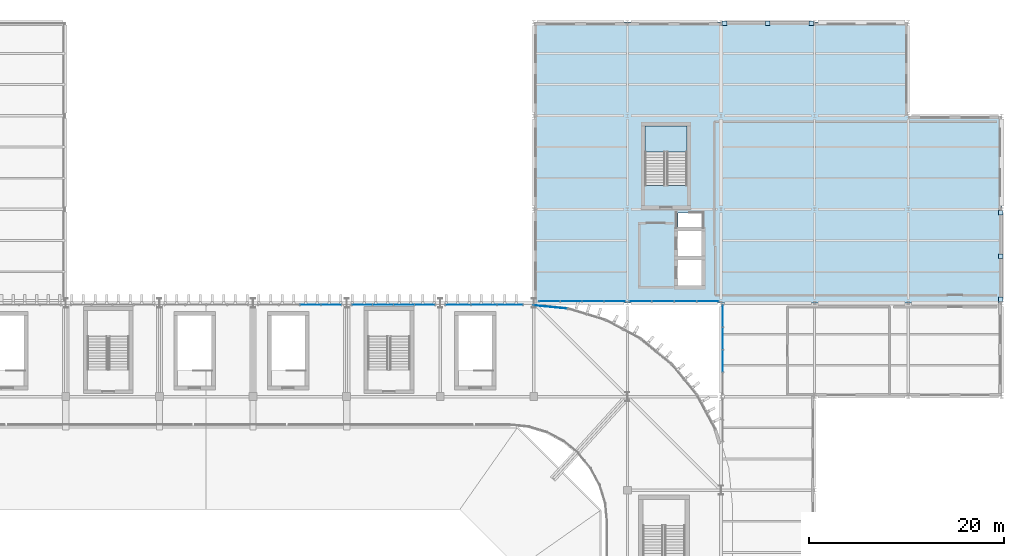
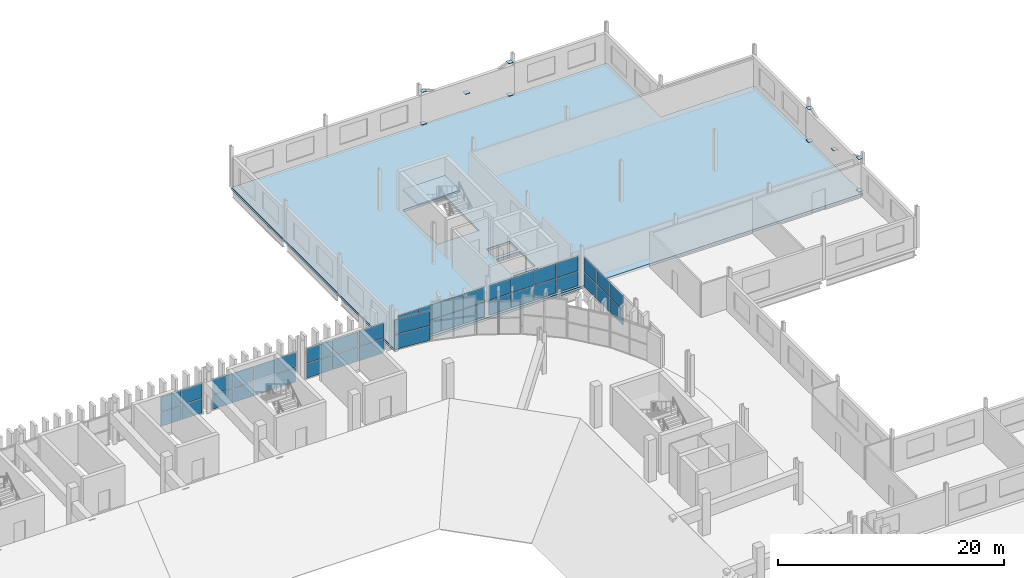
# One storey, part 40 of 69: 52 plates, 2 slabs, 8 elements without a shape of their own.
"""IFC4 building model written with IfcOpenShell, lengths in metres."""

from ifc_helpers import new_model, si_unit, direction, frame, origin, origin_2d, place, context, subcontext, project, spatial, polyline, rectangle, outline, extrude, material, layer, layer_set, type_object, element, aggregate, save


model = new_model("IFC4")

# Units and contexts
model_context = context("Model", 3, precision=1e-05, world=origin(), true_north=direction((0.0, 1.0)))
body_context = subcontext(model_context, "Body", "Model", "MODEL_VIEW")
ifc_project = project(units=[si_unit("LENGTHUNIT", "METRE"), si_unit("AREAUNIT", "SQUARE_METRE"), si_unit("VOLUMEUNIT", "CUBIC_METRE"), si_unit("PLANEANGLEUNIT", "RADIAN"), si_unit("MASSUNIT", "GRAM", prefix="KILO")], contexts=[model_context])

# Site, building, storey
site_placement = place(None, origin())
site = spatial("IfcSite", under=ifc_project, at=site_placement, CompositionType="ELEMENT")
building_placement = place(site_placement, origin())
building = spatial("IfcBuilding", under=site, at=building_placement, Name="Caelomonte Colonnade Arena", CompositionType="ELEMENT")
storey_placement = place(building_placement, frame((0.0, 0.0, 18.60009765625)))
storey = spatial("IfcBuildingStorey", under=building, at=storey_placement, Name="L04", CompositionType="ELEMENT", Elevation=18.60009765625)

# Curtain wall, plates
ifc_material_1 = material(Name="Bronze anodised aluminium and low-E glazing", Category="aluminium")
ifc_layer_1 = layer(ifc_material_1, 0.179931640625)
ifc_layer_set_1 = layer_set([ifc_layer_1], Name="Bronze anodised aluminium and low-E glazing")
curtain_wall_type_1 = type_object("IfcCurtainWallType", Name="ENV-CW-CW-L04-96-33", PredefinedType="USERDEFINED", material=ifc_layer_set_1)
curtain_wall_1_placement = place(storey_placement, origin())
curtain_wall_1 = element("IfcCurtainWall", 1, at=curtain_wall_1_placement, inside=storey, type_object=curtain_wall_type_1, Name="L04 unitized curtain wall CW-L04-1488-1154", ObjectType="UNITIZED CURTAIN WALL", PredefinedType="USERDEFINED")
ifc_material_2 = material(Name="Solar-control bronze low-E double glazing", Category="glass")
ifc_layer_2 = layer(ifc_material_2, 0.035888671875)
ifc_layer_set_2 = layer_set([ifc_layer_2], Name="Solar-control bronze low-E double glazing")
plate_type_1 = type_object("IfcPlateType", Name="ENV-CW-PAN36", PredefinedType="CURTAIN_PANEL", material=ifc_layer_set_2)
plate_1_placement = place(storey_placement, frame((145.618896484375, 115.3798828125, 0.06982421875), z_axis=(0.0, 0.0, 1.0), x_axis=(1.0, 0.0, 0.0)))
plate_1 = element("IfcPlate", 2, at=plate_1_placement, type_object=plate_type_1, Name="CW-L04-96-33 panel 1.1", PredefinedType="CURTAIN_PANEL", context=body_context, shape_type="SweptSolid", body=[
    extrude(rectangle(XDim=2.130615234375, YDim=0.035888671875, at=origin_2d()), origin(), (0.0, 0.0, 1.0), 1.551513671875),
])
plate_2_placement = place(storey_placement, frame((145.618896484375, 115.3798828125, 1.69140625), z_axis=(0.0, 0.0, 1.0), x_axis=(1.0, 0.0, 0.0)))
plate_2 = element("IfcPlate", 3, at=plate_2_placement, type_object=plate_type_1, Name="CW-L04-96-33 panel 1.2", PredefinedType="CURTAIN_PANEL", context=body_context, shape_type="SweptSolid", body=[
    extrude(rectangle(XDim=2.130615234375, YDim=0.035888671875, at=origin_2d()), origin(), (0.0, 0.0, 1.0), 1.551513671875),
])
plate_3_placement = place(storey_placement, frame((147.837158203125, 115.3798828125, 0.06982421875), z_axis=(0.0, 0.0, 1.0), x_axis=(1.0, 0.0, 0.0)))
plate_3 = element("IfcPlate", 4, at=plate_3_placement, type_object=plate_type_1, Name="CW-L04-96-33 panel 2.1", PredefinedType="CURTAIN_PANEL", context=body_context, shape_type="SweptSolid", body=[
    extrude(rectangle(XDim=2.16552734375, YDim=0.035888671875, at=origin_2d()), origin(), (0.0, 0.0, 1.0), 1.551513671875),
])
plate_4_placement = place(storey_placement, frame((147.837158203125, 115.3798828125, 1.69140625), z_axis=(0.0, 0.0, 1.0), x_axis=(1.0, 0.0, 0.0)))
plate_4 = element("IfcPlate", 5, at=plate_4_placement, type_object=plate_type_1, Name="CW-L04-96-33 panel 2.2", PredefinedType="CURTAIN_PANEL", context=body_context, shape_type="SweptSolid", body=[
    extrude(rectangle(XDim=2.16552734375, YDim=0.035888671875, at=origin_2d()), origin(), (0.0, 0.0, 1.0), 1.551513671875),
])
plate_5_placement = place(storey_placement, frame((150.07275390625, 115.3798828125, 0.06982421875), z_axis=(0.0, 0.0, 1.0), x_axis=(1.0, 0.0, 0.0)))
plate_5 = element("IfcPlate", 6, at=plate_5_placement, type_object=plate_type_1, Name="CW-L04-96-33 panel 3.1", PredefinedType="CURTAIN_PANEL", context=body_context, shape_type="SweptSolid", body=[
    extrude(rectangle(XDim=2.16552734375, YDim=0.035888671875, at=origin_2d()), origin(), (0.0, 0.0, 1.0), 1.551513671875),
])
plate_6_placement = place(storey_placement, frame((150.07275390625, 115.3798828125, 1.69140625), z_axis=(0.0, 0.0, 1.0), x_axis=(1.0, 0.0, 0.0)))
plate_6 = element("IfcPlate", 7, at=plate_6_placement, type_object=plate_type_1, Name="CW-L04-96-33 panel 3.2", PredefinedType="CURTAIN_PANEL", context=body_context, shape_type="SweptSolid", body=[
    extrude(rectangle(XDim=2.16552734375, YDim=0.035888671875, at=origin_2d()), origin(), (0.0, 0.0, 1.0), 1.551513671875),
])
plate_7_placement = place(storey_placement, frame((152.290771484375, 115.3798828125, 0.06982421875), z_axis=(0.0, 0.0, 1.0), x_axis=(1.0, 0.0, 0.0)))
plate_7 = element("IfcPlate", 8, at=plate_7_placement, type_object=plate_type_1, Name="CW-L04-96-33 panel 4.1", PredefinedType="CURTAIN_PANEL", context=body_context, shape_type="SweptSolid", body=[
    extrude(rectangle(XDim=2.130615234375, YDim=0.035888671875, at=origin_2d()), origin(), (0.0, 0.0, 1.0), 1.551513671875),
])
plate_8_placement = place(storey_placement, frame((152.290771484375, 115.3798828125, 1.69140625), z_axis=(0.0, 0.0, 1.0), x_axis=(1.0, 0.0, 0.0)))
plate_8 = element("IfcPlate", 9, at=plate_8_placement, type_object=plate_type_1, Name="CW-L04-96-33 panel 4.2", PredefinedType="CURTAIN_PANEL", context=body_context, shape_type="SweptSolid", body=[
    extrude(rectangle(XDim=2.130615234375, YDim=0.035888671875, at=origin_2d()), origin(), (0.0, 0.0, 1.0), 1.551513671875),
])
aggregate(curtain_wall_1, [plate_1, plate_2, plate_3, plate_4, plate_5, plate_6, plate_7, plate_8])

curtain_wall_2_placement = place(storey_placement, origin())
curtain_wall_2 = element("IfcCurtainWall", 10, at=curtain_wall_2_placement, inside=storey, type_object=curtain_wall_type_1, Name="L04 unitized curtain wall CW-L04-1584-1154", ObjectType="UNITIZED CURTAIN WALL", PredefinedType="USERDEFINED")
plate_9_placement = place(storey_placement, frame((154.947998046875, 115.3798828125, 0.06982421875), z_axis=(0.0, 0.0, 1.0), x_axis=(1.0, 0.0, 0.0)))
plate_9 = element("IfcPlate", 11, at=plate_9_placement, type_object=plate_type_1, Name="CW-L04-96-33 panel 1.1", PredefinedType="CURTAIN_PANEL", context=body_context, shape_type="SweptSolid", body=[
    extrude(rectangle(XDim=2.2080078125, YDim=0.035888671875, at=origin_2d()), origin(), (0.0, 0.0, 1.0), 1.551513671875),
])
plate_10_placement = place(storey_placement, frame((154.947998046875, 115.3798828125, 1.69140625), z_axis=(0.0, 0.0, 1.0), x_axis=(1.0, 0.0, 0.0)))
plate_10 = element("IfcPlate", 12, at=plate_10_placement, type_object=plate_type_1, Name="CW-L04-96-33 panel 1.2", PredefinedType="CURTAIN_PANEL", context=body_context, shape_type="SweptSolid", body=[
    extrude(rectangle(XDim=2.2080078125, YDim=0.035888671875, at=origin_2d()), origin(), (0.0, 0.0, 1.0), 1.551513671875),
])
plate_11_placement = place(storey_placement, frame((157.243408203125, 115.3798828125, 0.06982421875), z_axis=(0.0, 0.0, 1.0), x_axis=(1.0, 0.0, 0.0)))
plate_11 = element("IfcPlate", 13, at=plate_11_placement, type_object=plate_type_1, Name="CW-L04-96-33 panel 2.1", PredefinedType="CURTAIN_PANEL", context=body_context, shape_type="SweptSolid", body=[
    extrude(rectangle(XDim=2.2431640625, YDim=0.035888671875, at=origin_2d()), origin(), (0.0, 0.0, 1.0), 1.551513671875),
])
plate_12_placement = place(storey_placement, frame((157.243408203125, 115.3798828125, 1.69140625), z_axis=(0.0, 0.0, 1.0), x_axis=(1.0, 0.0, 0.0)))
plate_12 = element("IfcPlate", 14, at=plate_12_placement, type_object=plate_type_1, Name="CW-L04-96-33 panel 2.2", PredefinedType="CURTAIN_PANEL", context=body_context, shape_type="SweptSolid", body=[
    extrude(rectangle(XDim=2.2431640625, YDim=0.035888671875, at=origin_2d()), origin(), (0.0, 0.0, 1.0), 1.551513671875),
])
plate_13_placement = place(storey_placement, frame((159.556640625, 115.3798828125, 0.06982421875), z_axis=(0.0, 0.0, 1.0), x_axis=(1.0, 0.0, 0.0)))
plate_13 = element("IfcPlate", 15, at=plate_13_placement, type_object=plate_type_1, Name="CW-L04-96-33 panel 3.1", PredefinedType="CURTAIN_PANEL", context=body_context, shape_type="SweptSolid", body=[
    extrude(rectangle(XDim=2.2431640625, YDim=0.035888671875, at=origin_2d()), origin(), (0.0, 0.0, 1.0), 1.551513671875),
])
plate_14_placement = place(storey_placement, frame((159.556640625, 115.3798828125, 1.69140625), z_axis=(0.0, 0.0, 1.0), x_axis=(1.0, 0.0, 0.0)))
plate_14 = element("IfcPlate", 16, at=plate_14_placement, type_object=plate_type_1, Name="CW-L04-96-33 panel 3.2", PredefinedType="CURTAIN_PANEL", context=body_context, shape_type="SweptSolid", body=[
    extrude(rectangle(XDim=2.2431640625, YDim=0.035888671875, at=origin_2d()), origin(), (0.0, 0.0, 1.0), 1.551513671875),
])
plate_15_placement = place(storey_placement, frame((161.85205078125, 115.3798828125, 0.06982421875), z_axis=(0.0, 0.0, 1.0), x_axis=(1.0, 0.0, 0.0)))
plate_15 = element("IfcPlate", 17, at=plate_15_placement, type_object=plate_type_1, Name="CW-L04-96-33 panel 4.1", PredefinedType="CURTAIN_PANEL", context=body_context, shape_type="SweptSolid", body=[
    extrude(rectangle(XDim=2.2080078125, YDim=0.035888671875, at=origin_2d()), origin(), (0.0, 0.0, 1.0), 1.551513671875),
])
plate_16_placement = place(storey_placement, frame((161.85205078125, 115.3798828125, 1.69140625), z_axis=(0.0, 0.0, 1.0), x_axis=(1.0, 0.0, 0.0)))
plate_16 = element("IfcPlate", 18, at=plate_16_placement, type_object=plate_type_1, Name="CW-L04-96-33 panel 4.2", PredefinedType="CURTAIN_PANEL", context=body_context, shape_type="SweptSolid", body=[
    extrude(rectangle(XDim=2.2080078125, YDim=0.035888671875, at=origin_2d()), origin(), (0.0, 0.0, 1.0), 1.551513671875),
])
aggregate(curtain_wall_2, [plate_9, plate_10, plate_11, plate_12, plate_13, plate_14, plate_15, plate_16])

curtain_wall_3_placement = place(storey_placement, origin())
curtain_wall_3 = element("IfcCurtainWall", 19, at=curtain_wall_3_placement, inside=storey, type_object=curtain_wall_type_1, Name="L04 unitized curtain wall CW-L04-1634-1104", ObjectType="UNITIZED CURTAIN WALL", PredefinedType="USERDEFINED")
plate_17_placement = place(storey_placement, frame((163.3798828125, 113.85205078125, 0.06982421875), z_axis=(0.0, 0.0, 1.0), x_axis=(0.0, -1.0, 0.0)))
plate_17 = element("IfcPlate", 20, at=plate_17_placement, type_object=plate_type_1, Name="CW-L04-96-33 panel 1.1", PredefinedType="CURTAIN_PANEL", context=body_context, shape_type="SweptSolid", body=[
    extrude(rectangle(XDim=2.2080078125, YDim=0.035888671875, at=origin_2d()), origin(), (0.0, 0.0, 1.0), 1.551513671875),
])
plate_18_placement = place(storey_placement, frame((163.3798828125, 113.85205078125, 1.69140625), z_axis=(0.0, 0.0, 1.0), x_axis=(0.0, -1.0, 0.0)))
plate_18 = element("IfcPlate", 21, at=plate_18_placement, type_object=plate_type_1, Name="CW-L04-96-33 panel 1.2", PredefinedType="CURTAIN_PANEL", context=body_context, shape_type="SweptSolid", body=[
    extrude(rectangle(XDim=2.2080078125, YDim=0.035888671875, at=origin_2d()), origin(), (0.0, 0.0, 1.0), 1.551513671875),
])
plate_19_placement = place(storey_placement, frame((163.3798828125, 111.556640625, 0.06982421875), z_axis=(0.0, 0.0, 1.0), x_axis=(0.0, -1.0, 0.0)))
plate_19 = element("IfcPlate", 22, at=plate_19_placement, type_object=plate_type_1, Name="CW-L04-96-33 panel 2.1", PredefinedType="CURTAIN_PANEL", context=body_context, shape_type="SweptSolid", body=[
    extrude(rectangle(XDim=2.2431640625, YDim=0.035888671875, at=origin_2d()), origin(), (0.0, 0.0, 1.0), 1.551513671875),
])
plate_20_placement = place(storey_placement, frame((163.3798828125, 111.556640625, 1.69140625), z_axis=(0.0, 0.0, 1.0), x_axis=(0.0, -1.0, 0.0)))
plate_20 = element("IfcPlate", 23, at=plate_20_placement, type_object=plate_type_1, Name="CW-L04-96-33 panel 2.2", PredefinedType="CURTAIN_PANEL", context=body_context, shape_type="SweptSolid", body=[
    extrude(rectangle(XDim=2.2431640625, YDim=0.035888671875, at=origin_2d()), origin(), (0.0, 0.0, 1.0), 1.551513671875),
])
plate_21_placement = place(storey_placement, frame((163.3798828125, 109.243408203125, 0.06982421875), z_axis=(0.0, 0.0, 1.0), x_axis=(0.0, -1.0, 0.0)))
plate_21 = element("IfcPlate", 24, at=plate_21_placement, type_object=plate_type_1, Name="CW-L04-96-33 panel 3.1", PredefinedType="CURTAIN_PANEL", context=body_context, shape_type="SweptSolid", body=[
    extrude(rectangle(XDim=2.2431640625, YDim=0.035888671875, at=origin_2d()), origin(), (0.0, 0.0, 1.0), 1.551513671875),
])
plate_22_placement = place(storey_placement, frame((163.3798828125, 109.243408203125, 1.69140625), z_axis=(0.0, 0.0, 1.0), x_axis=(0.0, -1.0, 0.0)))
plate_22 = element("IfcPlate", 25, at=plate_22_placement, type_object=plate_type_1, Name="CW-L04-96-33 panel 3.2", PredefinedType="CURTAIN_PANEL", context=body_context, shape_type="SweptSolid", body=[
    extrude(rectangle(XDim=2.2431640625, YDim=0.035888671875, at=origin_2d()), origin(), (0.0, 0.0, 1.0), 1.551513671875),
])
aggregate(curtain_wall_3, [plate_17, plate_18, plate_19, plate_20, plate_21, plate_22])

ifc_layer_3 = layer(ifc_material_1, 0.179931640625)
ifc_layer_set_3 = layer_set([ifc_layer_3], Name="Bronze anodised aluminium and low-E glazing")
curtain_wall_type_2 = type_object("IfcCurtainWallType", Name="ENV-CW-CW-L04-42-33", PredefinedType="USERDEFINED", material=ifc_layer_set_3)
curtain_wall_4_placement = place(storey_placement, origin())
curtain_wall_4 = element("IfcCurtainWall", 26, at=curtain_wall_4_placement, inside=storey, type_object=curtain_wall_type_2, Name="L04 unitized curtain wall CW-L04-1455-1148", ObjectType="UNITIZED CURTAIN WALL", PredefinedType="USERDEFINED")
plate_23_placement = place(storey_placement, frame((145.651611328125, 114.79736328125, 0.06982421875), z_axis=(0.0, 0.0, 1.0), x_axis=(-0.995184334909, 0.098021117887, 0.0)))
plate_23 = element("IfcPlate", 27, at=plate_23_placement, type_object=plate_type_1, Name="CW-L04-42-33 panel 1.1", PredefinedType="CURTAIN_PANEL", context=body_context, shape_type="SweptSolid", body=[
    extrude(rectangle(XDim=3.453125, YDim=0.035888671875, at=origin_2d()), origin(), (0.0, 0.0, 1.0), 1.551513671875),
])
plate_24_placement = place(storey_placement, frame((145.651611328125, 114.79736328125, 1.69140625), z_axis=(0.0, 0.0, 1.0), x_axis=(-0.995184334909, 0.098021117887, 0.0)))
plate_24 = element("IfcPlate", 28, at=plate_24_placement, type_object=plate_type_1, Name="CW-L04-42-33 panel 1.2", PredefinedType="CURTAIN_PANEL", context=body_context, shape_type="SweptSolid", body=[
    extrude(rectangle(XDim=3.453125, YDim=0.035888671875, at=origin_2d()), origin(), (0.0, 0.0, 1.0), 1.551513671875),
])
aggregate(curtain_wall_4, [plate_23, plate_24])

ifc_layer_4 = layer(ifc_material_1, 0.179931640625)
ifc_layer_set_4 = layer_set([ifc_layer_4], Name="Bronze anodised aluminium and low-E glazing")
curtain_wall_type_3 = type_object("IfcCurtainWallType", Name="ENV-CW-CW-L04-90-33", PredefinedType="USERDEFINED", material=ifc_layer_set_4)
curtain_wall_5_placement = place(storey_placement, origin())
curtain_wall_5 = element("IfcCurtainWall", 29, at=curtain_wall_5_placement, inside=storey, type_object=curtain_wall_type_3, Name="L04 unitized curtain wall CW-L04-1389-1150", ObjectType="UNITIZED CURTAIN WALL", PredefinedType="USERDEFINED")
plate_25_placement = place(storey_placement, frame((141.56005859375, 115.02001953125, 0.06982421875), z_axis=(0.0, 0.0, 1.0), x_axis=(-1.0, 0.0, 0.0)))
plate_25 = element("IfcPlate", 30, at=plate_25_placement, type_object=plate_type_1, Name="CW-L04-90-33 panel 1.1", PredefinedType="CURTAIN_PANEL", context=body_context, shape_type="SweptSolid", body=[
    extrude(rectangle(XDim=2.572509765625, YDim=0.035888671875, at=origin_2d()), origin(), (0.0, 0.0, 1.0), 1.551513671875),
])
plate_26_placement = place(storey_placement, frame((141.56005859375, 115.02001953125, 1.69140625), z_axis=(0.0, 0.0, 1.0), x_axis=(-1.0, 0.0, 0.0)))
plate_26 = element("IfcPlate", 31, at=plate_26_placement, type_object=plate_type_1, Name="CW-L04-90-33 panel 1.2", PredefinedType="CURTAIN_PANEL", context=body_context, shape_type="SweptSolid", body=[
    extrude(rectangle(XDim=2.572509765625, YDim=0.035888671875, at=origin_2d()), origin(), (0.0, 0.0, 1.0), 1.551513671875),
])
plate_27_placement = place(storey_placement, frame((138.89990234375, 115.02001953125, 0.06982421875), z_axis=(0.0, 0.0, 1.0), x_axis=(-1.0, 0.0, 0.0)))
plate_27 = element("IfcPlate", 32, at=plate_27_placement, type_object=plate_type_1, Name="CW-L04-90-33 panel 2.1", PredefinedType="CURTAIN_PANEL", context=body_context, shape_type="SweptSolid", body=[
    extrude(rectangle(XDim=2.607666015625, YDim=0.035888671875, at=origin_2d()), origin(), (0.0, 0.0, 1.0), 1.551513671875),
])
plate_28_placement = place(storey_placement, frame((138.89990234375, 115.02001953125, 1.69140625), z_axis=(0.0, 0.0, 1.0), x_axis=(-1.0, 0.0, 0.0)))
plate_28 = element("IfcPlate", 33, at=plate_28_placement, type_object=plate_type_1, Name="CW-L04-90-33 panel 2.2", PredefinedType="CURTAIN_PANEL", context=body_context, shape_type="SweptSolid", body=[
    extrude(rectangle(XDim=2.607666015625, YDim=0.035888671875, at=origin_2d()), origin(), (0.0, 0.0, 1.0), 1.551513671875),
])
plate_29_placement = place(storey_placement, frame((136.239990234375, 115.02001953125, 0.06982421875), z_axis=(0.0, 0.0, 1.0), x_axis=(-1.0, 0.0, 0.0)))
plate_29 = element("IfcPlate", 34, at=plate_29_placement, type_object=plate_type_1, Name="CW-L04-90-33 panel 3.1", PredefinedType="CURTAIN_PANEL", context=body_context, shape_type="SweptSolid", body=[
    extrude(rectangle(XDim=2.572509765625, YDim=0.035888671875, at=origin_2d()), origin(), (0.0, 0.0, 1.0), 1.551513671875),
])
plate_30_placement = place(storey_placement, frame((136.239990234375, 115.02001953125, 1.69140625), z_axis=(0.0, 0.0, 1.0), x_axis=(-1.0, 0.0, 0.0)))
plate_30 = element("IfcPlate", 35, at=plate_30_placement, type_object=plate_type_1, Name="CW-L04-90-33 panel 3.2", PredefinedType="CURTAIN_PANEL", context=body_context, shape_type="SweptSolid", body=[
    extrude(rectangle(XDim=2.572509765625, YDim=0.035888671875, at=origin_2d()), origin(), (0.0, 0.0, 1.0), 1.551513671875),
])
aggregate(curtain_wall_5, [plate_25, plate_26, plate_27, plate_28, plate_29, plate_30])

curtain_wall_6_placement = place(storey_placement, origin())
curtain_wall_6 = element("IfcCurtainWall", 36, at=curtain_wall_6_placement, inside=storey, type_object=curtain_wall_type_1, Name="L04 unitized curtain wall CW-L04-1296-1150", ObjectType="UNITIZED CURTAIN WALL", PredefinedType="USERDEFINED")
plate_31_placement = place(storey_placement, frame((132.81982421875, 115.02001953125, 0.06982421875), z_axis=(0.0, 0.0, 1.0), x_axis=(-1.0, 0.0, 0.0)))
plate_31 = element("IfcPlate", 37, at=plate_31_placement, type_object=plate_type_1, Name="CW-L04-96-33 panel 1.1", PredefinedType="CURTAIN_PANEL", context=body_context, shape_type="SweptSolid", body=[
    extrude(rectangle(XDim=2.05322265625, YDim=0.035888671875, at=origin_2d()), origin(), (0.0, 0.0, 1.0), 1.551513671875),
])
plate_32_placement = place(storey_placement, frame((132.81982421875, 115.02001953125, 1.69140625), z_axis=(0.0, 0.0, 1.0), x_axis=(-1.0, 0.0, 0.0)))
plate_32 = element("IfcPlate", 38, at=plate_32_placement, type_object=plate_type_1, Name="CW-L04-96-33 panel 1.2", PredefinedType="CURTAIN_PANEL", context=body_context, shape_type="SweptSolid", body=[
    extrude(rectangle(XDim=2.05322265625, YDim=0.035888671875, at=origin_2d()), origin(), (0.0, 0.0, 1.0), 1.551513671875),
])
plate_33_placement = place(storey_placement, frame((130.678955078125, 115.02001953125, 0.06982421875), z_axis=(0.0, 0.0, 1.0), x_axis=(-1.0, 0.0, 0.0)))
plate_33 = element("IfcPlate", 39, at=plate_33_placement, type_object=plate_type_1, Name="CW-L04-96-33 panel 2.1", PredefinedType="CURTAIN_PANEL", context=body_context, shape_type="SweptSolid", body=[
    extrude(rectangle(XDim=2.088134765625, YDim=0.035888671875, at=origin_2d()), origin(), (0.0, 0.0, 1.0), 1.551513671875),
])
plate_34_placement = place(storey_placement, frame((130.678955078125, 115.02001953125, 1.69140625), z_axis=(0.0, 0.0, 1.0), x_axis=(-1.0, 0.0, 0.0)))
plate_34 = element("IfcPlate", 40, at=plate_34_placement, type_object=plate_type_1, Name="CW-L04-96-33 panel 2.2", PredefinedType="CURTAIN_PANEL", context=body_context, shape_type="SweptSolid", body=[
    extrude(rectangle(XDim=2.088134765625, YDim=0.035888671875, at=origin_2d()), origin(), (0.0, 0.0, 1.0), 1.551513671875),
])
plate_35_placement = place(storey_placement, frame((128.520751953125, 115.02001953125, 0.06982421875), z_axis=(0.0, 0.0, 1.0), x_axis=(-1.0, 0.0, 0.0)))
plate_35 = element("IfcPlate", 41, at=plate_35_placement, type_object=plate_type_1, Name="CW-L04-96-33 panel 3.1", PredefinedType="CURTAIN_PANEL", context=body_context, shape_type="SweptSolid", body=[
    extrude(rectangle(XDim=2.088134765625, YDim=0.035888671875, at=origin_2d()), origin(), (0.0, 0.0, 1.0), 1.551513671875),
])
plate_36_placement = place(storey_placement, frame((128.520751953125, 115.02001953125, 1.69140625), z_axis=(0.0, 0.0, 1.0), x_axis=(-1.0, 0.0, 0.0)))
plate_36 = element("IfcPlate", 42, at=plate_36_placement, type_object=plate_type_1, Name="CW-L04-96-33 panel 3.2", PredefinedType="CURTAIN_PANEL", context=body_context, shape_type="SweptSolid", body=[
    extrude(rectangle(XDim=2.088134765625, YDim=0.035888671875, at=origin_2d()), origin(), (0.0, 0.0, 1.0), 1.551513671875),
])
plate_37_placement = place(storey_placement, frame((126.380126953125, 115.02001953125, 0.06982421875), z_axis=(0.0, 0.0, 1.0), x_axis=(-1.0, 0.0, 0.0)))
plate_37 = element("IfcPlate", 43, at=plate_37_placement, type_object=plate_type_1, Name="CW-L04-96-33 panel 4.1", PredefinedType="CURTAIN_PANEL", context=body_context, shape_type="SweptSolid", body=[
    extrude(rectangle(XDim=2.05322265625, YDim=0.035888671875, at=origin_2d()), origin(), (0.0, 0.0, 1.0), 1.551513671875),
])
plate_38_placement = place(storey_placement, frame((126.380126953125, 115.02001953125, 1.69140625), z_axis=(0.0, 0.0, 1.0), x_axis=(-1.0, 0.0, 0.0)))
plate_38 = element("IfcPlate", 44, at=plate_38_placement, type_object=plate_type_1, Name="CW-L04-96-33 panel 4.2", PredefinedType="CURTAIN_PANEL", context=body_context, shape_type="SweptSolid", body=[
    extrude(rectangle(XDim=2.05322265625, YDim=0.035888671875, at=origin_2d()), origin(), (0.0, 0.0, 1.0), 1.551513671875),
])
aggregate(curtain_wall_6, [plate_31, plate_32, plate_33, plate_34, plate_35, plate_36, plate_37, plate_38])

curtain_wall_7_placement = place(storey_placement, origin())
curtain_wall_7 = element("IfcCurtainWall", 45, at=curtain_wall_7_placement, inside=storey, type_object=curtain_wall_type_1, Name="L04 unitized curtain wall CW-L04-1200-1150", ObjectType="UNITIZED CURTAIN WALL", PredefinedType="USERDEFINED")
plate_39_placement = place(storey_placement, frame((123.219970703125, 115.02001953125, 0.06982421875), z_axis=(0.0, 0.0, 1.0), x_axis=(-1.0, 0.0, 0.0)))
plate_39 = element("IfcPlate", 46, at=plate_39_placement, type_object=plate_type_1, Name="CW-L04-96-33 panel 1.1", PredefinedType="CURTAIN_PANEL", context=body_context, shape_type="SweptSolid", body=[
    extrude(rectangle(XDim=2.05322265625, YDim=0.035888671875, at=origin_2d()), origin(), (0.0, 0.0, 1.0), 1.551513671875),
])
plate_40_placement = place(storey_placement, frame((123.219970703125, 115.02001953125, 1.69140625), z_axis=(0.0, 0.0, 1.0), x_axis=(-1.0, 0.0, 0.0)))
plate_40 = element("IfcPlate", 47, at=plate_40_placement, type_object=plate_type_1, Name="CW-L04-96-33 panel 1.2", PredefinedType="CURTAIN_PANEL", context=body_context, shape_type="SweptSolid", body=[
    extrude(rectangle(XDim=2.05322265625, YDim=0.035888671875, at=origin_2d()), origin(), (0.0, 0.0, 1.0), 1.551513671875),
])
plate_41_placement = place(storey_placement, frame((121.0791015625, 115.02001953125, 0.06982421875), z_axis=(0.0, 0.0, 1.0), x_axis=(-1.0, 0.0, 0.0)))
plate_41 = element("IfcPlate", 48, at=plate_41_placement, type_object=plate_type_1, Name="CW-L04-96-33 panel 2.1", PredefinedType="CURTAIN_PANEL", context=body_context, shape_type="SweptSolid", body=[
    extrude(rectangle(XDim=2.088134765625, YDim=0.035888671875, at=origin_2d()), origin(), (0.0, 0.0, 1.0), 1.551513671875),
])
plate_42_placement = place(storey_placement, frame((121.0791015625, 115.02001953125, 1.69140625), z_axis=(0.0, 0.0, 1.0), x_axis=(-1.0, 0.0, 0.0)))
plate_42 = element("IfcPlate", 49, at=plate_42_placement, type_object=plate_type_1, Name="CW-L04-96-33 panel 2.2", PredefinedType="CURTAIN_PANEL", context=body_context, shape_type="SweptSolid", body=[
    extrude(rectangle(XDim=2.088134765625, YDim=0.035888671875, at=origin_2d()), origin(), (0.0, 0.0, 1.0), 1.551513671875),
])
aggregate(curtain_wall_7, [plate_39, plate_40, plate_41, plate_42])

# Stair, slab
ifc_material_3 = material(Name="Concrete C40/50", Category="concrete")
stair_type = type_object("IfcStairType", Name="INT-ST-WING45", PredefinedType="HALF_TURN_STAIR", material=ifc_material_3)
stair_placement = place(storey_placement, origin())
stair = element("IfcStair", 50, at=stair_placement, inside=storey, type_object=stair_type, Name="L04 Core C6 exit stair ST-06", PredefinedType="HALF_TURN_STAIR")
ifc_layer_5 = layer(ifc_material_3, 0.199951171875)
ifc_layer_set_5 = layer_set([ifc_layer_5], Name="Concrete C40/50")
slab_type_1 = type_object("IfcSlabType", Name="INT-SL-LAND20", PredefinedType="LANDING", material=ifc_layer_set_5)
slab_1_placement = place(storey_placement, frame((0.0, 0.0, 2.0498046875)))
slab_1 = element("IfcSlab", 51, at=slab_1_placement, type_object=slab_type_1, Name="ST-06 landing 1", PredefinedType="LANDING", context=body_context, shape_type="SweptSolid", body=[
    extrude(outline(polyline([(159.699951171875, 130.669921875), (159.699951171875, 133.35009765625), (155.39990234375, 133.35009765625), (155.39990234375, 130.669921875), (159.699951171875, 130.669921875)])), origin(), (0.0, 0.0, 1.0), 0.2001953125),
])
aggregate(stair, [slab_1])

# Plates
ifc_material_4 = material(Name="Steel ASTM A572 Grade 50", Category="steel")
ifc_layer_6 = layer(ifc_material_4, 0.02490234375)
ifc_layer_set_6 = layer_set([ifc_layer_6], Name="Steel ASTM A572 Grade 50")
plate_type_2 = type_object("IfcPlateType", Name="STR-PL-PN01", PredefinedType="USERDEFINED", material=ifc_layer_set_6)
for number, where, z_axis, x_axis, name in (
    (52, (168.0, 143.885009765625, 1.907470703125), (0.0, 0.0, 1.0), (1.0, 0.0, 0.0), "Braced frame BF3 L04 gusset plate X"),
    (53, (163.56005859375, 143.885009765625, 0.1474609375), (0.0, 0.0, 1.0), (1.0, 0.0, 0.0), "Braced frame BF3 L04 gusset plate BL"),
    (54, (172.43994140625, 143.885009765625, 0.1474609375), (0.0, 0.0, 1.0), (1.0, 0.0, 0.0), "Braced frame BF3 L04 gusset plate BR"),
    (55, (163.56005859375, 143.885009765625, 3.66748046875), (0.0, 0.0, 1.0), (1.0, 0.0, 0.0), "Braced frame BF3 L04 gusset plate TL"),
    (56, (172.43994140625, 143.885009765625, 3.66748046875), (0.0, 0.0, 1.0), (1.0, 0.0, 0.0), "Braced frame BF3 L04 gusset plate TR"),
    (57, (191.885009765625, 120.0, 1.907470703125), (0.0, 0.0, 1.0), (1.0, 0.0, 0.0), "Braced frame BF4 L04 gusset plate X"),
    (58, (191.885009765625, 115.56005859375, 0.1474609375), (0.0, 0.0, 1.0), (1.0, 0.0, 0.0), "Braced frame BF4 L04 gusset plate BL"),
    (59, (191.885009765625, 124.43994140625, 0.1474609375), (0.0, 0.0, 1.0), (1.0, 0.0, 0.0), "Braced frame BF4 L04 gusset plate BR"),
    (60, (191.885009765625, 115.56005859375, 3.66748046875), (0.0, 0.0, 1.0), (1.0, 0.0, 0.0), "Braced frame BF4 L04 gusset plate TL"),
    (61, (191.885009765625, 124.43994140625, 3.66748046875), (0.0, 0.0, 1.0), (1.0, 0.0, 0.0), "Braced frame BF4 L04 gusset plate TR"),
):
    element("IfcPlate", number, at=place(storey_placement, frame(where, z_axis=z_axis, x_axis=x_axis)), inside=storey, type_object=plate_type_2, Name=name, ObjectType="GUSSET PLATE", PredefinedType="USERDEFINED", context=body_context, shape_type="SweptSolid", body=[
        extrude(rectangle(XDim=0.47998046875, YDim=0.47998046875, at=origin_2d()), origin(), (0.0, 0.0, 1.0), 0.02490234375),
    ])

# Slab
ifc_layer_7 = layer(ifc_material_3, 0.260009765625)
ifc_layer_set_7 = layer_set([ifc_layer_7], Name="Concrete C40/50")
slab_type_2 = type_object("IfcSlabType", Name="STR-SL-FLR26", PredefinedType="FLOOR", material=ifc_layer_set_7)
slab_2_placement = place(storey_placement, frame((0.0, 0.0, -0.260009765625)))
element("IfcSlab", 62, at=slab_2_placement, inside=storey, type_object=slab_type_2, Name="L04 structural floor slab SL-L04-V4-NE", PredefinedType="FLOOR", context=body_context, shape_type="SweptSolid", body=[
    extrude(outline(polyline([(144.0, 115.199951171875), (192.0, 115.199951171875), (192.0, 134.39990234375), (182.39990234375, 134.39990234375), (182.39990234375, 144.0), (144.0, 144.0), (144.0, 115.199951171875)]), holes=[polyline([(158.780029296875, 116.97998046875), (158.780029296875, 119.6201171875), (161.219970703125, 119.6201171875), (161.219970703125, 116.97998046875), (158.780029296875, 116.97998046875)]), polyline([(158.780029296875, 119.97998046875), (158.780029296875, 122.6201171875), (161.219970703125, 122.6201171875), (161.219970703125, 119.97998046875), (158.780029296875, 119.97998046875)]), polyline([(158.780029296875, 122.97998046875), (158.780029296875, 124.419921875), (161.219970703125, 124.419921875), (161.219970703125, 122.97998046875), (158.780029296875, 122.97998046875)]), polyline([(155.39990234375, 127.25), (155.39990234375, 133.35009765625), (159.699951171875, 133.35009765625), (159.699951171875, 127.25), (155.39990234375, 127.25)])]), origin(), (0.0, 0.0, 1.0), 0.260009765625),
])

save(model, "model.ifc")
